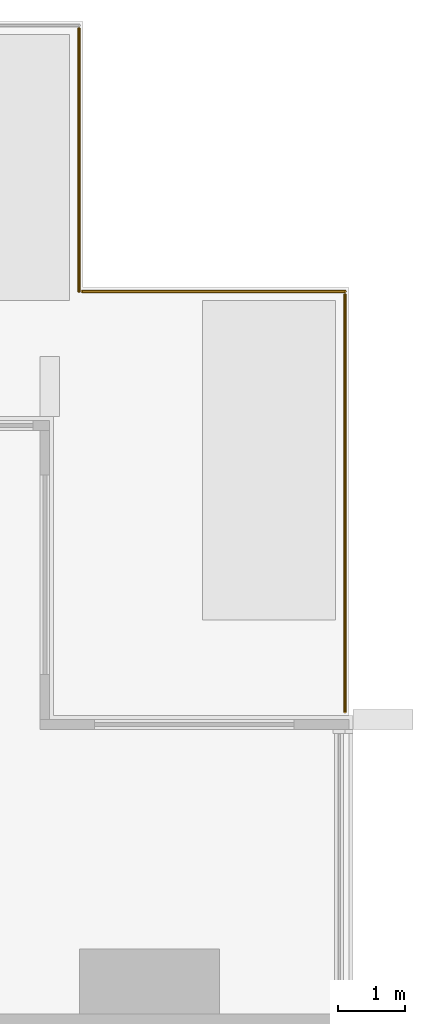
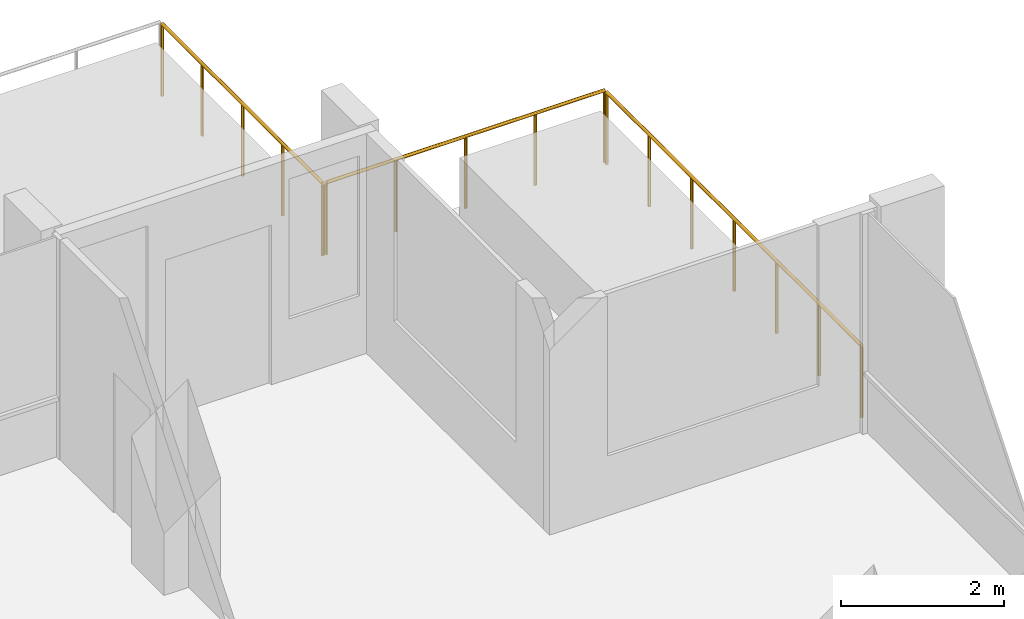
# One storey, part 17 of 17: 3 railings.
"""IFC4 building model written with IfcOpenShell, lengths in metres."""

import ifcopenshell
import ifcopenshell.guid

model = None  # the IFC model being written
_history = None  # IfcOwnerHistory: only IFC2X3 demands one
_inside = {}  # id of a spatial element -> (the spatial element, [elements in it])
_under = {}  # id of a project, library or spatial element -> (it, [spatial elements below it])
_declared = {}  # id of a project -> (the project, [libraries it declares])
_typed = {}  # id of a type object -> (the type object, [elements of that type])
_made_of = {}  # id of a material, layer set ... -> (it, [elements and type objects made of it])


def new_model(schema):
    """Start an empty IFC model of exactly this schema.

    Asked for "IFC4X3", IfcOpenShell would pick the latest addendum, in which some entities
    have other attributes; the version numbers below select the first issue.
    IFC2X3 requires an IfcOwnerHistory on every rooted entity: one is made here for all.
    """
    global model, _history
    if schema == "IFC4X3":
        model = ifcopenshell.file(schema_version=(4, 3, 0, 0))
    else:
        model = ifcopenshell.file(schema=schema)
    _inside.clear()
    _under.clear()
    _declared.clear()
    _typed.clear()
    _made_of.clear()
    _history = None
    if model.schema == "IFC2X3":
        org = make("IfcOrganization", Name="unknown")
        user = make(
            "IfcPersonAndOrganization",
            ThePerson=make("IfcPerson", FamilyName="unknown"),
            TheOrganization=org,
        )
        app = make(
            "IfcApplication",
            ApplicationDeveloper=org,
            Version="unknown",
            ApplicationFullName="unknown",
            ApplicationIdentifier="unknown",
        )
        _history = make(
            "IfcOwnerHistory",
            OwningUser=user,
            OwningApplication=app,
            ChangeAction="ADDED",
            CreationDate=0,
        )
    return model


def make(cls, **values):
    """One entity of the class cls with the attributes given. An attribute that is None is left unset."""
    return model.create_entity(
        cls, **{name: value for name, value in values.items() if value is not None}
    )


def rooted(cls, **values):
    """An entity with a GlobalId (a new one), such as an element, a storey or a relation."""
    return make(cls, GlobalId=ifcopenshell.guid.new(), OwnerHistory=_history, **values)


def si_unit(unit_type, name, prefix=None):
    """IfcSIUnit, for example si_unit("LENGTHUNIT", "METRE", prefix="MILLI")."""
    return make("IfcSIUnit", UnitType=unit_type, Prefix=prefix, Name=name)


def assignment(units):
    """IfcUnitAssignment: the units of a project."""
    return None if units is None else make("IfcUnitAssignment", Units=units)


def point(xyz):
    """IfcCartesianPoint."""
    return None if xyz is None else make("IfcCartesianPoint", Coordinates=xyz)


def direction(xyz):
    """IfcDirection."""
    return None if xyz is None else make("IfcDirection", DirectionRatios=xyz)


def frame(location, z_axis=None, x_axis=None):
    """IfcAxis2Placement3D, a coordinate frame: its origin and axes. An axis left out is left unset."""
    return make(
        "IfcAxis2Placement3D",
        Location=point(location),
        Axis=direction(z_axis),
        RefDirection=direction(x_axis),
    )


def frame_2d(location, x_axis=None):
    """IfcAxis2Placement2D, a coordinate frame in the plane: its origin and x axis."""
    return make(
        "IfcAxis2Placement2D", Location=point(location), RefDirection=direction(x_axis)
    )


def origin():
    """The frame at (0, 0, 0) with its axes left unset."""
    return frame((0.0, 0.0, 0.0))


def origin_2d():
    """The frame at (0, 0) in the plane with its x axis left unset."""
    return frame_2d((0.0, 0.0))


def place(relative_to, where):
    """IfcLocalPlacement: puts the frame where relative to a parent placement (None: the world)."""
    return make(
        "IfcLocalPlacement", PlacementRelTo=relative_to, RelativePlacement=where
    )


def context(
    kind, dimensions, precision=None, world=None, true_north=None, identifier=None
):
    """IfcGeometricRepresentationContext, for example the 3D "Model" context."""
    return make(
        "IfcGeometricRepresentationContext",
        ContextIdentifier=identifier,
        ContextType=kind,
        CoordinateSpaceDimension=dimensions,
        Precision=precision,
        WorldCoordinateSystem=world,
        TrueNorth=true_north,
    )


def subcontext(parent, identifier, kind, view, scale=None):
    """IfcGeometricRepresentationSubContext, for example "Body" below "Model"."""
    return make(
        "IfcGeometricRepresentationSubContext",
        ContextIdentifier=identifier,
        ContextType=kind,
        ParentContext=parent,
        TargetScale=scale,
        TargetView=view,
    )


def project(units=None, contexts=None):
    """IfcProject with its units and contexts."""
    return rooted(
        "IfcProject",
        Name="project",
        RepresentationContexts=contexts,
        UnitsInContext=assignment(units),
    )


def spatial(cls, under=None, at=None, **own):
    """A site, building, storey or space (cls), placed at a placement, below another one or the project."""
    s = rooted(cls, ObjectPlacement=at, **own)
    if under is not None:
        _under.setdefault(under.id(), (under, []))[1].append(s)
    return s


def profile(cls, at=None, kind="AREA", **sizes):
    """A parametric profile (cls). Its sizes go by their IFC names, for example OverallWidth=200.0."""
    return make(cls, ProfileType=kind, Position=at, **sizes)


def circle(**sizes):
    """IfcCircleProfileDef."""
    return profile("IfcCircleProfileDef", **sizes)


def extrude(swept, where, along, depth):
    """IfcExtrudedAreaSolid: the profile swept, set in the frame where, extruded along a direction by depth."""
    return make(
        "IfcExtrudedAreaSolid",
        SweptArea=swept,
        Position=where,
        ExtrudedDirection=direction(along),
        Depth=depth,
    )


def shape(context_of_items, identifier, shape_type, items):
    """IfcShapeRepresentation: the items that make up one representation, for example the "Body"."""
    return make(
        "IfcShapeRepresentation",
        ContextOfItems=context_of_items,
        RepresentationIdentifier=identifier,
        RepresentationType=shape_type,
        Items=items,
    )


def material(Name=None, Category=None):
    """IfcMaterial."""
    return make("IfcMaterial", Name=Name, Category=Category)


def made_of(thing, what):
    """Note that an element or type object is made of a material, layer set ...; save() writes the relation."""
    if what is not None:
        _made_of.setdefault(what.id(), (what, []))[1].append(thing)
    return thing


def type_object(cls, material=None, **own):
    """A type object (cls), such as IfcWallType, which elements share."""
    return made_of(rooted(cls, **own), material)


def element(
    cls,
    number,
    at=None,
    inside=None,
    cuts=None,
    type_object=None,
    material=None,
    context=None,
    identifier="Body",
    shape_type=None,
    held_by="IfcProductDefinitionShape",
    body=None,
    shapes=None,
    **own,
):
    """One element of the class cls, such as IfcWall. Its Tag is "e" and its number.

    at: its placement. inside: the storey or other place that contains it. cuts: it is an
    opening in that element (IfcRelVoidsElement). A single representation is given by context,
    identifier, shape_type and body (its items); several are given by shapes. held_by: the class
    of the entity that holds the representations. save() writes the other relations.
    """
    e = rooted(cls, Tag="e%d" % number, ObjectPlacement=at, **own)
    if body is not None:
        shapes = [shape(context, identifier, shape_type, body)]
    if shapes is not None:
        e.Representation = make(held_by, Representations=shapes)
    if inside is not None:
        _inside.setdefault(inside.id(), (inside, []))[1].append(e)
    if cuts is not None:
        rooted(
            "IfcRelVoidsElement", RelatingBuildingElement=cuts, RelatedOpeningElement=e
        )
    if type_object is not None:
        _typed.setdefault(type_object.id(), (type_object, []))[1].append(e)
    return made_of(e, material)


def aggregate(whole, parts):
    """IfcRelAggregates: a whole, such as a stair, and the parts it consists of."""
    return rooted("IfcRelAggregates", RelatingObject=whole, RelatedObjects=parts)


def save(model, path):
    """Write the relations noted so far, then the file.

    IfcRelAggregates (storeys below a building ...), IfcRelContainedInSpatialStructure (elements
    in a storey), IfcRelDefinesByType, IfcRelAssociatesMaterial and IfcRelDeclares: one each for
    every whole, place, type object, material and project.
    """
    for whole, parts in _under.values():
        aggregate(whole, parts)
    for where, things in _inside.values():
        rooted(
            "IfcRelContainedInSpatialStructure",
            RelatedElements=things,
            RelatingStructure=where,
        )
    for kind, things in _typed.values():
        rooted("IfcRelDefinesByType", RelatedObjects=things, RelatingType=kind)
    for what, things in _made_of.values():
        rooted("IfcRelAssociatesMaterial", RelatedObjects=things, RelatingMaterial=what)
    for by, libraries in _declared.values():
        rooted("IfcRelDeclares", RelatingContext=by, RelatedDefinitions=libraries)
    model.write(path)


model = new_model("IFC4")

# Units and contexts
model_context = context("Model", 3, precision=1e-05, world=origin(), true_north=direction((0.0, 1.0)))
body_context = subcontext(model_context, "Body", "Model", "MODEL_VIEW")
ifc_project = project(units=[si_unit("LENGTHUNIT", "METRE"), si_unit("AREAUNIT", "SQUARE_METRE"), si_unit("VOLUMEUNIT", "CUBIC_METRE"), si_unit("PLANEANGLEUNIT", "RADIAN"), si_unit("MASSUNIT", "GRAM", prefix="KILO")], contexts=[model_context])

# Site, building, storey
site_placement = place(None, origin())
site = spatial("IfcSite", under=ifc_project, at=site_placement, CompositionType="ELEMENT")
building_placement = place(site_placement, origin())
building = spatial("IfcBuilding", under=site, at=building_placement, Name="Finial Court Residences", CompositionType="ELEMENT")
storey_placement = place(building_placement, frame((0.0, 0.0, 205.10009765625)))
storey = spatial("IfcBuildingStorey", under=building, at=storey_placement, Name="L51", CompositionType="ELEMENT", Elevation=205.10009765625)

# Railings
ifc_material = material(Name="Bronze anodised aluminium", Category="aluminium")
railing_type = type_object("IfcRailingType", Name="Terrace guard 1100", PredefinedType="GUARDRAIL", material=ifc_material)
railing_1_placement = place(storey_placement, frame((15.43994140625, 22.389892578125, 0.0)))
element("IfcRailing", 1, at=railing_1_placement, inside=storey, type_object=railing_type, Name="E-L51-TER1-R1-2", PredefinedType="GUARDRAIL", context=body_context, shape_type="SweptSolid", body=[
    extrude(circle(Radius=0.02392578125, at=origin_2d()), frame((0.0, 0.0, 1.076171875), z_axis=(0.0, -1.0, 0.0), x_axis=(1.0, 0.0, 0.0)), (0.0, 0.0, 1.0), 3.949951171875),
    extrude(circle(Radius=0.02099609375, at=origin_2d()), origin(), (0.0, 0.0, 1.0), 1.052001953125),
    extrude(circle(Radius=0.02099609375, at=origin_2d()), frame((0.0, -0.987548828125, 0.0)), (0.0, 0.0, 1.0), 1.052001953125),
    extrude(circle(Radius=0.02099609375, at=origin_2d()), frame((0.0, -1.97509765625, 0.0)), (0.0, 0.0, 1.0), 1.052001953125),
    extrude(circle(Radius=0.02099609375, at=origin_2d()), frame((0.0, -2.96240234375, 0.0)), (0.0, 0.0, 1.0), 1.052001953125),
    extrude(circle(Radius=0.02099609375, at=origin_2d()), frame((0.0, -3.949951171875, 0.0)), (0.0, 0.0, 1.0), 1.052001953125),
])
railing_2_placement = place(storey_placement, frame((15.489990234375, 18.43994140625, 0.0)))
element("IfcRailing", 2, at=railing_2_placement, inside=storey, type_object=railing_type, Name="E-L51-TER1-R1-3", PredefinedType="GUARDRAIL", context=body_context, shape_type="SweptSolid", body=[
    extrude(circle(Radius=0.02392578125, at=origin_2d()), frame((0.0, 0.0, 1.076171875), z_axis=(1.0, 0.0, 0.0), x_axis=(0.0, 1.0, 0.0)), (0.0, 0.0, 1.0), 3.949951171875),
    extrude(circle(Radius=0.02099609375, at=origin_2d()), origin(), (0.0, 0.0, 1.0), 1.052001953125),
    extrude(circle(Radius=0.02099609375, at=origin_2d()), frame((0.987548828125, 0.0, 0.0)), (0.0, 0.0, 1.0), 1.052001953125),
    extrude(circle(Radius=0.02099609375, at=origin_2d()), frame((1.97509765625, 0.0, 0.0)), (0.0, 0.0, 1.0), 1.052001953125),
    extrude(circle(Radius=0.02099609375, at=origin_2d()), frame((2.96240234375, 0.0, 0.0)), (0.0, 0.0, 1.0), 1.052001953125),
    extrude(circle(Radius=0.02099609375, at=origin_2d()), frame((3.949951171875, 0.0, 0.0)), (0.0, 0.0, 1.0), 1.052001953125),
])
railing_3_placement = place(storey_placement, frame((19.43994140625, 18.389892578125, 0.0)))
element("IfcRailing", 3, at=railing_3_placement, inside=storey, type_object=railing_type, Name="E-L51-TER1-R1-4", PredefinedType="GUARDRAIL", context=body_context, shape_type="SweptSolid", body=[
    extrude(circle(Radius=0.02392578125, at=origin_2d()), frame((0.0, 0.0, 1.076171875), z_axis=(0.0, -1.0, 0.0), x_axis=(1.0, 0.0, 0.0)), (0.0, 0.0, 1.0), 6.269775390625),
    extrude(circle(Radius=0.02099609375, at=origin_2d()), origin(), (0.0, 0.0, 1.0), 1.052001953125),
    extrude(circle(Radius=0.02099609375, at=origin_2d()), frame((0.0, -1.044921875, 0.0)), (0.0, 0.0, 1.0), 1.052001953125),
    extrude(circle(Radius=0.02099609375, at=origin_2d()), frame((0.0, -2.08984375, 0.0)), (0.0, 0.0, 1.0), 1.052001953125),
    extrude(circle(Radius=0.02099609375, at=origin_2d()), frame((0.0, -3.134765625, 0.0)), (0.0, 0.0, 1.0), 1.052001953125),
    extrude(circle(Radius=0.02099609375, at=origin_2d()), frame((0.0, -4.179931640625, 0.0)), (0.0, 0.0, 1.0), 1.052001953125),
    extrude(circle(Radius=0.02099609375, at=origin_2d()), frame((0.0, -5.224853515625, 0.0)), (0.0, 0.0, 1.0), 1.052001953125),
    extrude(circle(Radius=0.02099609375, at=origin_2d()), frame((0.0, -6.269775390625, 0.0)), (0.0, 0.0, 1.0), 1.052001953125),
])

save(model, "model.ifc")
